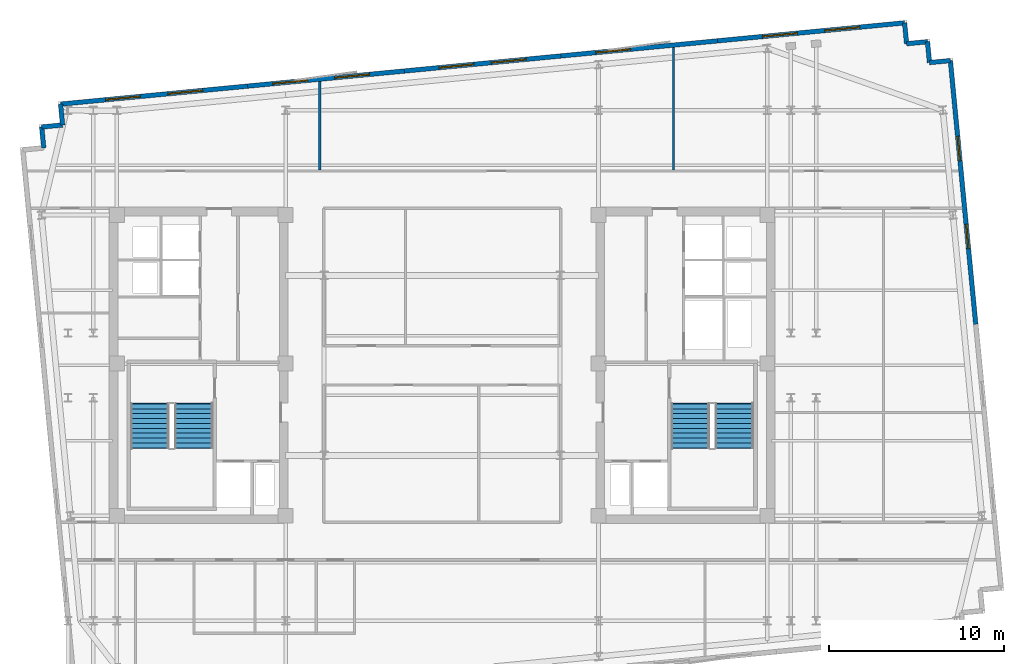
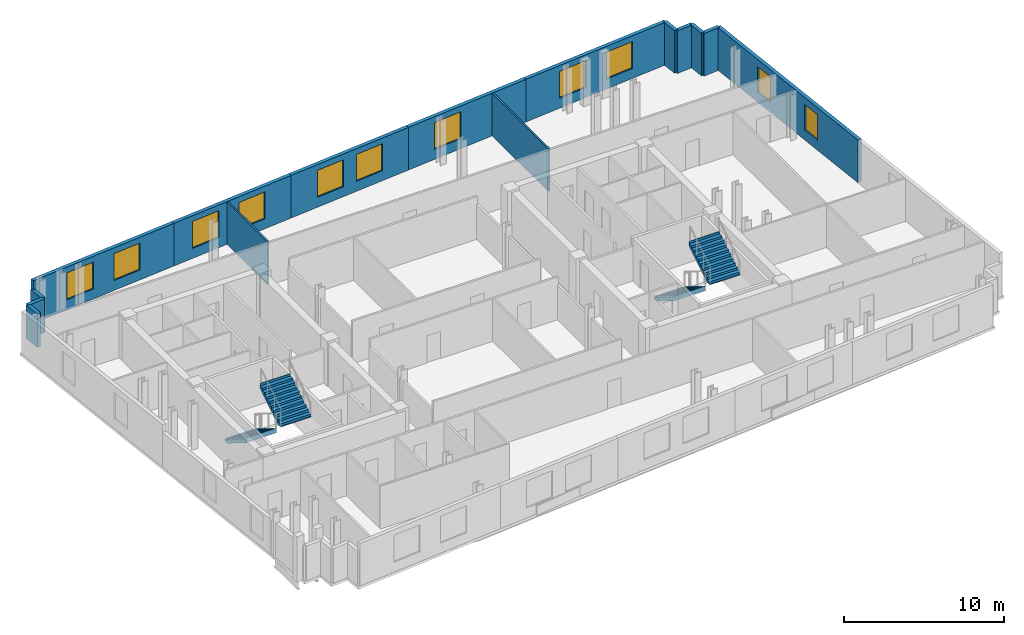
# One storey, part 6 of 8: 15 walls, 11 windows, 4 stair flights, 11 openings, 2 elements without a shape of their own.
"""IFC4 building model written with IfcOpenShell, lengths in metres."""

from ifc_helpers import new_model, si_unit, direction, frame, frame_2d, origin, place, context, subcontext, project, spatial, polyline, rectangle, outline, extrude, material, layer, layer_set, type_object, element, fill, aggregate, save


model = new_model("IFC4")

# Units and contexts
model_context = context("Model", 3, precision=1e-05, world=origin(), true_north=direction((0.0, 1.0)))
body_context = subcontext(model_context, "Body", "Model", "MODEL_VIEW")
ifc_project = project(units=[si_unit("LENGTHUNIT", "METRE"), si_unit("AREAUNIT", "SQUARE_METRE"), si_unit("VOLUMEUNIT", "CUBIC_METRE"), si_unit("PLANEANGLEUNIT", "RADIAN"), si_unit("MASSUNIT", "GRAM", prefix="KILO")], contexts=[model_context])

# Site, building, storey
site_placement = place(None, origin())
site = spatial("IfcSite", under=ifc_project, at=site_placement, CompositionType="ELEMENT")
building_placement = place(site_placement, origin())
building = spatial("IfcBuilding", under=site, at=building_placement, Name="Velakula Bourse", CompositionType="ELEMENT")
storey_placement = place(building_placement, frame((0.0, 0.0, 258.60009765625)))
storey = spatial("IfcBuildingStorey", under=building, at=storey_placement, Name="L70", CompositionType="ELEMENT", Elevation=258.60009765625)

# Wall, openings, windows
ifc_material_1 = material(Name="Buff kilned clay facing brick masonry", Category="masonry")
ifc_layer_1 = layer(ifc_material_1, 0.260009765625, Name="Buff kilned clay facing brick masonry", Category="masonry")
ifc_layer_set_1 = layer_set([ifc_layer_1], Name="Buff kilned clay facing brick masonry")
wall_type_1 = type_object("IfcWallType", Name="WL-EXT-BRK-260", PredefinedType="STANDARD", material=ifc_layer_set_1)
wall_1_placement = place(storey_placement, frame((-21.820556640625, 14.94482421875, 0.0), z_axis=(0.0, 0.0, 1.0), x_axis=(0.995394787719, 0.095860401528, 0.0)))
wall_1 = element("IfcWall", 1, at=wall_1_placement, inside=storey, type_object=wall_type_1, Name="L70 N Brick Spandrel Wall B1", PredefinedType="STANDARD", context=body_context, shape_type="SweptSolid", body=[
    extrude(rectangle(XDim=10.750244140625, YDim=0.260009765625, at=frame_2d((5.375, 0.0))), origin(), (0.0, 0.0, 1.0), 3.25),
])
opening_1_placement = place(wall_1_placement, frame((2.583251953125, 0.0, 0.760009765625)))
opening_1 = element("IfcOpeningElement", 2, at=opening_1_placement, cuts=wall_1, Name="Opening W-05", PredefinedType="OPENING", context=body_context, shape_type="SweptSolid", body=[
    extrude(rectangle(XDim=2.0, YDim=2.050048828125, at=frame_2d((1.0, 1.02490234375))), frame((0.0, 0.139892578125, 0.0), z_axis=(0.0, -1.0, 0.0), x_axis=(1.0, 0.0, 0.0)), (0.0, 0.0, 1.0), 0.280029296875),
])
opening_2_placement = place(wall_1_placement, frame((6.166748046875, 0.0, 0.760009765625)))
opening_2 = element("IfcOpeningElement", 3, at=opening_2_placement, cuts=wall_1, Name="Opening W-05", PredefinedType="OPENING", context=body_context, shape_type="SweptSolid", body=[
    extrude(rectangle(XDim=2.0, YDim=2.050048828125, at=frame_2d((1.0, 1.02490234375))), frame((0.0, 0.139892578125, 0.0), z_axis=(0.0, -1.0, 0.0), x_axis=(1.0, 0.0, 0.0)), (0.0, 0.0, 1.0), 0.280029296875),
])
ifc_material_2 = material(Name="Double-glazed solar-control Low-E glass", Category="glass")
window_type_1 = type_object("IfcWindowType", Name="WIN-TWR-2000x2200", PartitioningType="DOUBLE_PANEL_VERTICAL", PredefinedType="WINDOW", material=ifc_material_2)
window_1_placement = place(opening_1_placement, origin())
window_1 = element("IfcWindow", 4, at=window_1_placement, inside=storey, type_object=window_type_1, Name="L70 Deep-Set Recessed Window 1", OverallHeight=2.050048828125, OverallWidth=2.0, PartitioningType="DOUBLE_PANEL_VERTICAL", PredefinedType="WINDOW", context=body_context, shape_type="SweptSolid", body=[
    extrude(rectangle(XDim=2.0, YDim=2.050048828125, at=frame_2d((1.0, 1.02490234375))), frame((0.0, 0.030029296875, 0.0), z_axis=(0.0, -1.0, 0.0), x_axis=(1.0, 0.0, 0.0)), (0.0, 0.0, 1.0), 0.06005859375),
])
fill(opening_1, window_1)
window_2_placement = place(opening_2_placement, origin())
window_2 = element("IfcWindow", 5, at=window_2_placement, inside=storey, type_object=window_type_1, Name="L70 Deep-Set Recessed Window 2", OverallHeight=2.050048828125, OverallWidth=2.0, PartitioningType="DOUBLE_PANEL_VERTICAL", PredefinedType="WINDOW", context=body_context, shape_type="SweptSolid", body=[
    extrude(rectangle(XDim=2.0, YDim=2.050048828125, at=frame_2d((1.0, 1.02490234375))), frame((0.0, 0.030029296875, 0.0), z_axis=(0.0, -1.0, 0.0), x_axis=(1.0, 0.0, 0.0)), (0.0, 0.0, 1.0), 0.06005859375),
])
fill(opening_2, window_2)

wall_2_placement = place(storey_placement, frame((-11.119873046875, 15.975341796875, 0.0), z_axis=(0.0, 0.0, 1.0), x_axis=(0.995396794462, 0.09583956164, 0.0)))
wall_2 = element("IfcWall", 6, at=wall_2_placement, inside=storey, type_object=wall_type_1, Name="L70 N Brick Spandrel Wall B2", PredefinedType="STANDARD", context=body_context, shape_type="SweptSolid", body=[
    extrude(rectangle(XDim=9.0, YDim=0.260009765625, at=frame_2d((4.5, 0.0))), origin(), (0.0, 0.0, 1.0), 3.25),
])
opening_3_placement = place(wall_2_placement, frame((1.449951171875, 0.0, 0.760009765625)))
opening_3 = element("IfcOpeningElement", 7, at=opening_3_placement, cuts=wall_2, Name="Opening W-05", PredefinedType="OPENING", context=body_context, shape_type="SweptSolid", body=[
    extrude(rectangle(XDim=2.0, YDim=2.050048828125, at=frame_2d((1.0, 1.02490234375))), frame((0.0, 0.139892578125, 0.0), z_axis=(0.0, -1.0, 0.0), x_axis=(1.0, 0.0, 0.0)), (0.0, 0.0, 1.0), 0.280029296875),
])
opening_4_placement = place(wall_2_placement, frame((5.0, 0.0, 0.760009765625)))
opening_4 = element("IfcOpeningElement", 8, at=opening_4_placement, cuts=wall_2, Name="Opening W-05", PredefinedType="OPENING", context=body_context, shape_type="SweptSolid", body=[
    extrude(rectangle(XDim=2.0, YDim=2.050048828125, at=frame_2d((1.0, 1.02490234375))), frame((0.0, 0.139892578125, 0.0), z_axis=(0.0, -1.0, 0.0), x_axis=(1.0, 0.0, 0.0)), (0.0, 0.0, 1.0), 0.280029296875),
])
window_3_placement = place(opening_3_placement, origin())
window_3 = element("IfcWindow", 9, at=window_3_placement, inside=storey, type_object=window_type_1, Name="L70 Deep-Set Recessed Window 1", OverallHeight=2.050048828125, OverallWidth=2.0, PartitioningType="DOUBLE_PANEL_VERTICAL", PredefinedType="WINDOW", context=body_context, shape_type="SweptSolid", body=[
    extrude(rectangle(XDim=2.0, YDim=2.050048828125, at=frame_2d((1.0, 1.02490234375))), frame((0.0, 0.030029296875, 0.0), z_axis=(0.0, -1.0, 0.0), x_axis=(1.0, 0.0, 0.0)), (0.0, 0.0, 1.0), 0.06005859375),
])
fill(opening_3, window_3)
window_4_placement = place(opening_4_placement, origin())
window_4 = element("IfcWindow", 10, at=window_4_placement, inside=storey, type_object=window_type_1, Name="L70 Deep-Set Recessed Window 2", OverallHeight=2.050048828125, OverallWidth=2.0, PartitioningType="DOUBLE_PANEL_VERTICAL", PredefinedType="WINDOW", context=body_context, shape_type="SweptSolid", body=[
    extrude(rectangle(XDim=2.0, YDim=2.050048828125, at=frame_2d((1.0, 1.02490234375))), frame((0.0, 0.030029296875, 0.0), z_axis=(0.0, -1.0, 0.0), x_axis=(1.0, 0.0, 0.0)), (0.0, 0.0, 1.0), 0.06005859375),
])
fill(opening_4, window_4)

wall_3_placement = place(storey_placement, frame((-2.161376953125, 16.837890625, 0.0), z_axis=(0.0, 0.0, 1.0), x_axis=(0.995396794462, 0.09583956164, 0.0)))
wall_3 = element("IfcWall", 11, at=wall_3_placement, inside=storey, type_object=wall_type_1, Name="L70 N Brick Spandrel Wall B3", PredefinedType="STANDARD", context=body_context, shape_type="SweptSolid", body=[
    extrude(rectangle(XDim=9.0, YDim=0.260009765625, at=frame_2d((4.5, 0.0))), origin(), (0.0, 0.0, 1.0), 3.25),
])
opening_5_placement = place(wall_3_placement, frame((2.0, 0.0, 0.760009765625)))
opening_5 = element("IfcOpeningElement", 12, at=opening_5_placement, cuts=wall_3, Name="Opening W-05", PredefinedType="OPENING", context=body_context, shape_type="SweptSolid", body=[
    extrude(rectangle(XDim=2.0, YDim=2.050048828125, at=frame_2d((1.0, 1.02490234375))), frame((0.0, 0.139892578125, 0.0), z_axis=(0.0, -1.0, 0.0), x_axis=(1.0, 0.0, 0.0)), (0.0, 0.0, 1.0), 0.280029296875),
])
opening_6_placement = place(wall_3_placement, frame((5.0, 0.0, 0.760009765625)))
opening_6 = element("IfcOpeningElement", 13, at=opening_6_placement, cuts=wall_3, Name="Opening W-05", PredefinedType="OPENING", context=body_context, shape_type="SweptSolid", body=[
    extrude(rectangle(XDim=2.0, YDim=2.050048828125, at=frame_2d((1.0, 1.02490234375))), frame((0.0, 0.139892578125, 0.0), z_axis=(0.0, -1.0, 0.0), x_axis=(1.0, 0.0, 0.0)), (0.0, 0.0, 1.0), 0.280029296875),
])
window_5_placement = place(opening_5_placement, origin())
window_5 = element("IfcWindow", 14, at=window_5_placement, inside=storey, type_object=window_type_1, Name="L70 Deep-Set Recessed Window 1", OverallHeight=2.050048828125, OverallWidth=2.0, PartitioningType="DOUBLE_PANEL_VERTICAL", PredefinedType="WINDOW", context=body_context, shape_type="SweptSolid", body=[
    extrude(rectangle(XDim=2.0, YDim=2.050048828125, at=frame_2d((1.0, 1.02490234375))), frame((0.0, 0.030029296875, 0.0), z_axis=(0.0, -1.0, 0.0), x_axis=(1.0, 0.0, 0.0)), (0.0, 0.0, 1.0), 0.06005859375),
])
fill(opening_5, window_5)
window_6_placement = place(opening_6_placement, origin())
window_6 = element("IfcWindow", 15, at=window_6_placement, inside=storey, type_object=window_type_1, Name="L70 Deep-Set Recessed Window 2", OverallHeight=2.050048828125, OverallWidth=2.0, PartitioningType="DOUBLE_PANEL_VERTICAL", PredefinedType="WINDOW", context=body_context, shape_type="SweptSolid", body=[
    extrude(rectangle(XDim=2.0, YDim=2.050048828125, at=frame_2d((1.0, 1.02490234375))), frame((0.0, 0.030029296875, 0.0), z_axis=(0.0, -1.0, 0.0), x_axis=(1.0, 0.0, 0.0)), (0.0, 0.0, 1.0), 0.06005859375),
])
fill(opening_6, window_6)

# Wall, opening, window
wall_4_placement = place(storey_placement, frame((6.797119140625, 17.700439453125, 0.0), z_axis=(0.0, 0.0, 1.0), x_axis=(0.995394455533, 0.09586385082, 0.0)))
wall_4 = element("IfcWall", 16, at=wall_4_placement, inside=storey, type_object=wall_type_1, Name="L70 N Brick Spandrel Wall B4", PredefinedType="STANDARD", context=body_context, shape_type="SweptSolid", body=[
    extrude(rectangle(XDim=9.000244140625, YDim=0.260009765625, at=frame_2d((4.5, 0.0))), origin(), (0.0, 0.0, 1.0), 3.25),
])
opening_7_placement = place(wall_4_placement, frame((2.0, 0.0, 0.760009765625)))
opening_7 = element("IfcOpeningElement", 17, at=opening_7_placement, cuts=wall_4, Name="Opening W-05", PredefinedType="OPENING", context=body_context, shape_type="SweptSolid", body=[
    extrude(rectangle(XDim=2.0, YDim=2.050048828125, at=frame_2d((1.0, 1.02490234375))), frame((0.0, 0.139892578125, 0.0), z_axis=(0.0, -1.0, 0.0), x_axis=(1.0, 0.0, 0.0)), (0.0, 0.0, 1.0), 0.280029296875),
])
window_7_placement = place(opening_7_placement, origin())
window_7 = element("IfcWindow", 18, at=window_7_placement, inside=storey, type_object=window_type_1, Name="L70 Deep-Set Recessed Window 1", OverallHeight=2.050048828125, OverallWidth=2.0, PartitioningType="DOUBLE_PANEL_VERTICAL", PredefinedType="WINDOW", context=body_context, shape_type="SweptSolid", body=[
    extrude(rectangle(XDim=2.0, YDim=2.050048828125, at=frame_2d((1.0, 1.02490234375))), frame((0.0, 0.030029296875, 0.0), z_axis=(0.0, -1.0, 0.0), x_axis=(1.0, 0.0, 0.0)), (0.0, 0.0, 1.0), 0.06005859375),
])
fill(opening_7, window_7)

# Wall, openings, windows
wall_5_placement = place(storey_placement, frame((15.755859375, 18.563232421875, 0.0), z_axis=(0.0, 0.0, 1.0), x_axis=(0.995396745868, 0.095840066339, 0.0)))
wall_5 = element("IfcWall", 19, at=wall_5_placement, inside=storey, type_object=wall_type_1, Name="L70 N Brick Spandrel Wall B5", PredefinedType="STANDARD", context=body_context, shape_type="SweptSolid", body=[
    extrude(rectangle(XDim=10.75, YDim=0.260009765625, at=frame_2d((5.375, 0.0))), origin(), (0.0, 0.0, 1.0), 3.25),
])
opening_8_placement = place(wall_5_placement, frame((2.583251953125, 0.0, 0.760009765625)))
opening_8 = element("IfcOpeningElement", 20, at=opening_8_placement, cuts=wall_5, Name="Opening W-05", PredefinedType="OPENING", context=body_context, shape_type="SweptSolid", body=[
    extrude(rectangle(XDim=2.0, YDim=2.050048828125, at=frame_2d((1.0, 1.02490234375))), frame((0.0, 0.139892578125, 0.0), z_axis=(0.0, -1.0, 0.0), x_axis=(1.0, 0.0, 0.0)), (0.0, 0.0, 1.0), 0.280029296875),
])
opening_9_placement = place(wall_5_placement, frame((6.166748046875, 0.0, 0.760009765625)))
opening_9 = element("IfcOpeningElement", 21, at=opening_9_placement, cuts=wall_5, Name="Opening W-05", PredefinedType="OPENING", context=body_context, shape_type="SweptSolid", body=[
    extrude(rectangle(XDim=2.0, YDim=2.050048828125, at=frame_2d((1.0, 1.02490234375))), frame((0.0, 0.139892578125, 0.0), z_axis=(0.0, -1.0, 0.0), x_axis=(1.0, 0.0, 0.0)), (0.0, 0.0, 1.0), 0.280029296875),
])
window_8_placement = place(opening_8_placement, origin())
window_8 = element("IfcWindow", 22, at=window_8_placement, inside=storey, type_object=window_type_1, Name="L70 Deep-Set Recessed Window 1", OverallHeight=2.050048828125, OverallWidth=2.0, PartitioningType="DOUBLE_PANEL_VERTICAL", PredefinedType="WINDOW", context=body_context, shape_type="SweptSolid", body=[
    extrude(rectangle(XDim=2.0, YDim=2.050048828125, at=frame_2d((1.0, 1.02490234375))), frame((0.0, 0.030029296875, 0.0), z_axis=(0.0, -1.0, 0.0), x_axis=(1.0, 0.0, 0.0)), (0.0, 0.0, 1.0), 0.06005859375),
])
fill(opening_8, window_8)
window_9_placement = place(opening_9_placement, origin())
window_9 = element("IfcWindow", 23, at=window_9_placement, inside=storey, type_object=window_type_1, Name="L70 Deep-Set Recessed Window 2", OverallHeight=2.050048828125, OverallWidth=2.0, PartitioningType="DOUBLE_PANEL_VERTICAL", PredefinedType="WINDOW", context=body_context, shape_type="SweptSolid", body=[
    extrude(rectangle(XDim=2.0, YDim=2.050048828125, at=frame_2d((1.0, 1.02490234375))), frame((0.0, 0.030029296875, 0.0), z_axis=(0.0, -1.0, 0.0), x_axis=(1.0, 0.0, 0.0)), (0.0, 0.0, 1.0), 0.06005859375),
])
fill(opening_9, window_9)

wall_6_placement = place(storey_placement, frame((29.0751953125, 17.4345703125, 0.0), z_axis=(0.0, 0.0, 1.0), x_axis=(0.095850890337, -0.995395703638, 0.0)))
wall_6 = element("IfcWall", 24, at=wall_6_placement, inside=storey, type_object=wall_type_1, Name="L70 E Brick End Wall W2", PredefinedType="STANDARD", context=body_context, shape_type="SweptSolid", body=[
    extrude(rectangle(XDim=15.150146484375, YDim=0.260009765625, at=frame_2d((7.5751953125, 0.0))), origin(), (0.0, 0.0, 1.0), 3.25),
])
opening_10_placement = place(wall_6_placement, frame((4.35009765625, 0.0, 0.760009765625)))
opening_10 = element("IfcOpeningElement", 25, at=opening_10_placement, cuts=wall_6, Name="Opening W-03", PredefinedType="OPENING", context=body_context, shape_type="SweptSolid", body=[
    extrude(rectangle(XDim=1.39990234375, YDim=1.949951171875, at=frame_2d((0.699951171875, 0.97509765625))), frame((0.0, 0.139892578125, 0.0), z_axis=(0.0, -1.0, 0.0), x_axis=(1.0, 0.0, 0.0)), (0.0, 0.0, 1.0), 0.280029296875),
])
opening_11_placement = place(wall_6_placement, frame((9.39990234375, 0.0, 0.760009765625)))
opening_11 = element("IfcOpeningElement", 26, at=opening_11_placement, cuts=wall_6, Name="Opening W-03", PredefinedType="OPENING", context=body_context, shape_type="SweptSolid", body=[
    extrude(rectangle(XDim=1.39990234375, YDim=1.949951171875, at=frame_2d((0.699951171875, 0.97509765625))), frame((0.0, 0.139892578125, 0.0), z_axis=(0.0, -1.0, 0.0), x_axis=(1.0, 0.0, 0.0)), (0.0, 0.0, 1.0), 0.280029296875),
])
window_type_2 = type_object("IfcWindowType", Name="WIN-TWR-1400x2100", PartitioningType="SINGLE_PANEL", PredefinedType="WINDOW", material=ifc_material_2)
window_10_placement = place(opening_10_placement, origin())
window_10 = element("IfcWindow", 27, at=window_10_placement, inside=storey, type_object=window_type_2, Name="L70 Deep-Set Recessed Window 1", OverallHeight=1.949951171875, OverallWidth=1.39990234375, PartitioningType="SINGLE_PANEL", PredefinedType="WINDOW", context=body_context, shape_type="SweptSolid", body=[
    extrude(rectangle(XDim=1.39990234375, YDim=1.949951171875, at=frame_2d((0.699951171875, 0.97509765625))), frame((0.0, 0.030029296875, 0.0), z_axis=(0.0, -1.0, 0.0), x_axis=(1.0, 0.0, 0.0)), (0.0, 0.0, 1.0), 0.06005859375),
])
fill(opening_10, window_10)
window_11_placement = place(opening_11_placement, origin())
window_11 = element("IfcWindow", 28, at=window_11_placement, inside=storey, type_object=window_type_2, Name="L70 Deep-Set Recessed Window 2", OverallHeight=1.949951171875, OverallWidth=1.39990234375, PartitioningType="SINGLE_PANEL", PredefinedType="WINDOW", context=body_context, shape_type="SweptSolid", body=[
    extrude(rectangle(XDim=1.39990234375, YDim=1.949951171875, at=frame_2d((0.699951171875, 0.97509765625))), frame((0.0, 0.030029296875, 0.0), z_axis=(0.0, -1.0, 0.0), x_axis=(1.0, 0.0, 0.0)), (0.0, 0.0, 1.0), 0.06005859375),
])
fill(opening_11, window_11)

# Walls
for number, where, z_axis, x_axis, name in (
    (29, (29.0751953125, 17.4345703125, 0.0), (0.0, 0.0, 1.0), (-0.995397091755, -0.095836473879, 0.0), "L70 Serrated Corner Brick Wall NE-1"),
    (30, (27.880859375, 17.319580078125, 0.0), (0.0, 0.0, 1.0), (-0.095836473879, 0.995397091755, 0.0), "L70 Serrated Corner Brick Wall NE-2"),
):
    element("IfcWall", number, at=place(storey_placement, frame(where, z_axis=z_axis, x_axis=x_axis)), inside=storey, type_object=wall_type_1, Name=name, PredefinedType="STANDARD", context=body_context, shape_type="SweptSolid", body=[
        extrude(rectangle(XDim=1.199951171875, YDim=0.260009765625, at=frame_2d((0.60009765625, 0.0))), origin(), (0.0, 0.0, 1.0), 3.25),
    ])
for number, where, z_axis, x_axis, name in (
    (31, (27.765869140625, 18.513916015625, 0.0), (0.0, 0.0, 1.0), (-0.995398960025, -0.095817067274, 0.0), "L70 Serrated Corner Brick Wall NE-3"),
    (32, (26.5712890625, 18.39892578125, 0.0), (0.0, 0.0, 1.0), (-0.095817067274, 0.995398960025, 0.0), "L70 Serrated Corner Brick Wall NE-4"),
):
    element("IfcWall", number, at=place(storey_placement, frame(where, z_axis=z_axis, x_axis=x_axis)), inside=storey, type_object=wall_type_1, Name=name, PredefinedType="STANDARD", context=body_context, shape_type="SweptSolid", body=[
        extrude(rectangle(XDim=1.2001953125, YDim=0.260009765625, at=frame_2d((0.60009765625, 0.0))), origin(), (0.0, 0.0, 1.0), 3.25),
    ])
wall_7_placement = place(storey_placement, frame((-21.820556640625, 14.94482421875, 0.0), z_axis=(0.0, 0.0, 1.0), x_axis=(0.096038073607, -0.995377661201, 0.0)))
element("IfcWall", 33, at=wall_7_placement, inside=storey, type_object=wall_type_1, Name="L70 Serrated Corner Brick Wall NW-1", PredefinedType="STANDARD", context=body_context, shape_type="SweptSolid", body=[
    extrude(rectangle(XDim=1.199951171875, YDim=0.260009765625, at=frame_2d((0.60009765625, 0.0))), origin(), (0.0, 0.0, 1.0), 2.56494140625),
])
for number, where, z_axis, x_axis, name in (
    (34, (-21.705322265625, 13.75048828125, 0.0), (0.0, 0.0, 1.0), (-0.995398960025, -0.095817067274, 0.0), "L70 Serrated Corner Brick Wall NW-2"),
    (35, (-22.89990234375, 13.635498046875, 0.0), (0.0, 0.0, 1.0), (0.095817067274, -0.995398960025, 0.0), "L70 Serrated Corner Brick Wall NW-3"),
):
    element("IfcWall", number, at=place(storey_placement, frame(where, z_axis=z_axis, x_axis=x_axis)), inside=storey, type_object=wall_type_1, Name=name, PredefinedType="STANDARD", context=body_context, shape_type="SweptSolid", body=[
        extrude(rectangle(XDim=1.2001953125, YDim=0.260009765625, at=frame_2d((0.60009765625, 0.0))), origin(), (0.0, 0.0, 1.0), 2.56494140625),
    ])
ifc_material_3 = material(Name="Fire-rated double-layer gypsum drywall partition", Category="gypsum")
ifc_layer_2 = layer(ifc_material_3, 0.1201171875, Name="Fire-rated double-layer gypsum drywall partition", Category="gypsum")
ifc_layer_set_2 = layer_set([ifc_layer_2], Name="Fire-rated double-layer gypsum drywall partition")
wall_type_2 = type_object("IfcWallType", Name="WL-PART-120", PredefinedType="STANDARD", material=ifc_layer_set_2)
wall_8_placement = place(storey_placement, frame((-6.99609375, 11.18994140625, 0.0), z_axis=(0.0, 0.0, 1.0), x_axis=(0.0, 1.0, 0.0)))
element("IfcWall", 36, at=wall_8_placement, inside=storey, type_object=wall_type_2, Name="L70 Interior Partition WL-INT-L70-N-D1", PredefinedType="STANDARD", context=body_context, shape_type="SweptSolid", body=[
    extrude(rectangle(XDim=5.0517578125, YDim=0.1201171875, at=frame_2d((2.52587890625, 0.0))), origin(), (0.0, 0.0, 1.0), 3.25),
])
wall_9_placement = place(storey_placement, frame((13.241943359375, 11.18994140625, 0.0), z_axis=(0.0, 0.0, 1.0), x_axis=(0.0, 1.0, 0.0)))
element("IfcWall", 37, at=wall_9_placement, inside=storey, type_object=wall_type_2, Name="L70 Interior Partition WL-INT-L70-N-D2", PredefinedType="STANDARD", context=body_context, shape_type="SweptSolid", body=[
    extrude(rectangle(XDim=7.00048828125, YDim=0.1201171875, at=frame_2d((3.500244140625, 0.0))), origin(), (0.0, 0.0, 1.0), 3.25),
])

# Stair, stair flights
ifc_material_4 = material(Name="Concrete M45 (fck 45 MPa)", Category="concrete")
stair_type = type_object("IfcStairType", Name="STR-DOG-390", PredefinedType="HALF_TURN_STAIR", material=ifc_material_4)
stair_1_placement = place(storey_placement, origin())
stair_1 = element("IfcStair", 38, at=stair_1_placement, inside=storey, type_object=stair_type, Name="L70 West Core Exit Stair ST-W1", PredefinedType="HALF_TURN_STAIR")
ifc_layer_3 = layer(ifc_material_4, 0.195068359375, Name="Concrete M45 (fck 45 MPa)", Category="concrete")
ifc_layer_set_3 = layer_set([ifc_layer_3], Name="Concrete M45 (fck 45 MPa)")
stair_flight_type = type_object("IfcStairFlightType", Name="FLT-DOG-390", PredefinedType="STRAIGHT", material=ifc_layer_set_3)
stair_flight_1_placement = place(storey_placement, frame((-16.720947265625, -2.199951171875, 0.0), z_axis=(0.0, 0.0, 1.0), x_axis=(0.0, -1.0, 0.0)))
stair_flight_1 = element("IfcStairFlight", 39, at=stair_flight_1_placement, type_object=stair_flight_type, Name="ST-W1 flight 1", NumberOfRisers=10, NumberOfTreads=9, PredefinedType="STRAIGHT", RiserHeight=0.1725, TreadLength=0.28, context=body_context, shape_type="SweptSolid", body=[
    extrude(outline(polyline([(-0.044921875, -0.0400390625), (-0.044921875, -0.036865234375), (-0.044921875, -0.033935546875), (-0.044921875, -0.03076171875), (-0.044921875, -0.027587890625), (-0.044921875, -0.024658203125), (-0.044921875, -0.021484375), (-0.044921875, -0.0185546875), (-0.044921875, -0.015380859375), (-0.044921875, -0.01220703125), (-0.044921875, -0.00927734375), (-0.044921875, -0.006103515625), (-0.044921875, -0.003173828125), (-0.044921875, 0.0), (0.0, 0.0), (0.0, 0.172607421875), (0.280029296875, 0.172607421875), (0.280029296875, 0.344970703125), (0.56005859375, 0.344970703125), (0.56005859375, 0.517578125), (0.840087890625, 0.517578125), (0.840087890625, 0.68994140625), (1.1201171875, 0.68994140625), (1.1201171875, 0.862548828125), (1.39990234375, 0.862548828125), (1.39990234375, 1.034912109375), (1.679931640625, 1.034912109375), (1.679931640625, 1.20751953125), (1.9599609375, 1.20751953125), (1.9599609375, 1.3798828125), (2.239990234375, 1.3798828125), (2.239990234375, 1.552490234375), (2.52001953125, 1.552490234375), (2.52001953125, 1.72509765625), (2.56494140625, 1.72509765625), (2.56494140625, 1.7001953125), (2.56494140625, 1.67529296875), (2.56494140625, 1.650390625), (2.56494140625, 1.62548828125), (2.56494140625, 1.6005859375), (2.56494140625, 1.57568359375), (2.56494140625, 1.55078125), (2.56494140625, 1.52587890625), (2.56494140625, 1.5009765625), (2.56494140625, 1.47607421875), (2.56494140625, 1.451171875), (2.56494140625, 1.42626953125), (2.56494140625, 1.4013671875), (2.56494140625, 1.37646484375), (0.285888671875, -0.0400390625), (-0.044921875, -0.0400390625)])), frame((0.0, 1.09912109375, 0.0), z_axis=(0.0, -1.0, 0.0), x_axis=(1.0, 0.0, 0.0)), (0.0, 0.0, 1.0), 2.197998046875),
])
stair_flight_2_placement = place(storey_placement, frame((-14.198974609375, -4.719970703125, 1.724853515625), z_axis=(0.0, 0.0, 1.0), x_axis=(0.0, 1.0, 0.0)))
stair_flight_2 = element("IfcStairFlight", 40, at=stair_flight_2_placement, type_object=stair_flight_type, Name="ST-W1 flight 2", NumberOfRisers=10, NumberOfTreads=9, PredefinedType="STRAIGHT", RiserHeight=0.1725, TreadLength=0.28, context=body_context, shape_type="SweptSolid", body=[
    extrude(outline(polyline([(-0.044921875, -0.0400390625), (-0.044921875, -0.036865234375), (-0.044921875, -0.033935546875), (-0.044921875, -0.03076171875), (-0.044921875, -0.027587890625), (-0.044921875, -0.024658203125), (-0.044921875, -0.021484375), (-0.044921875, -0.0185546875), (-0.044921875, -0.015380859375), (-0.044921875, -0.01220703125), (-0.044921875, -0.00927734375), (-0.044921875, -0.006103515625), (-0.044921875, -0.003173828125), (-0.044921875, 0.0), (0.0, 0.0), (0.0, 0.172607421875), (0.280029296875, 0.172607421875), (0.280029296875, 0.344970703125), (0.56005859375, 0.344970703125), (0.56005859375, 0.517578125), (0.840087890625, 0.517578125), (0.840087890625, 0.68994140625), (1.1201171875, 0.68994140625), (1.1201171875, 0.862548828125), (1.39990234375, 0.862548828125), (1.39990234375, 1.034912109375), (1.679931640625, 1.034912109375), (1.679931640625, 1.20751953125), (1.9599609375, 1.20751953125), (1.9599609375, 1.3798828125), (2.239990234375, 1.3798828125), (2.239990234375, 1.552490234375), (2.52001953125, 1.552490234375), (2.52001953125, 1.72509765625), (2.56494140625, 1.72509765625), (2.56494140625, 1.7001953125), (2.56494140625, 1.67529296875), (2.56494140625, 1.650390625), (2.56494140625, 1.62548828125), (2.56494140625, 1.6005859375), (2.56494140625, 1.57568359375), (2.56494140625, 1.55078125), (2.56494140625, 1.52587890625), (2.56494140625, 1.5009765625), (2.56494140625, 1.47607421875), (2.56494140625, 1.451171875), (2.56494140625, 1.42626953125), (2.56494140625, 1.4013671875), (2.56494140625, 1.37646484375), (0.285888671875, -0.0400390625), (-0.044921875, -0.0400390625)])), frame((0.0, 1.09912109375, 0.0), z_axis=(0.0, -1.0, 0.0), x_axis=(1.0, 0.0, 0.0)), (0.0, 0.0, 1.0), 2.197998046875),
])
aggregate(stair_1, [stair_flight_1, stair_flight_2])

stair_2_placement = place(storey_placement, origin())
stair_2 = element("IfcStair", 41, at=stair_2_placement, inside=storey, type_object=stair_type, Name="L70 East Core Exit Stair ST-E1", PredefinedType="HALF_TURN_STAIR")
stair_flight_3_placement = place(storey_placement, frame((14.198974609375, -2.199951171875, 0.0), z_axis=(0.0, 0.0, 1.0), x_axis=(0.0, -1.0, 0.0)))
stair_flight_3 = element("IfcStairFlight", 42, at=stair_flight_3_placement, type_object=stair_flight_type, Name="ST-E1 flight 1", NumberOfRisers=10, NumberOfTreads=9, PredefinedType="STRAIGHT", RiserHeight=0.1725, TreadLength=0.28, context=body_context, shape_type="SweptSolid", body=[
    extrude(outline(polyline([(-0.044921875, -0.0400390625), (-0.044921875, -0.036865234375), (-0.044921875, -0.033935546875), (-0.044921875, -0.03076171875), (-0.044921875, -0.027587890625), (-0.044921875, -0.024658203125), (-0.044921875, -0.021484375), (-0.044921875, -0.0185546875), (-0.044921875, -0.015380859375), (-0.044921875, -0.01220703125), (-0.044921875, -0.00927734375), (-0.044921875, -0.006103515625), (-0.044921875, -0.003173828125), (-0.044921875, 0.0), (0.0, 0.0), (0.0, 0.172607421875), (0.280029296875, 0.172607421875), (0.280029296875, 0.344970703125), (0.56005859375, 0.344970703125), (0.56005859375, 0.517578125), (0.840087890625, 0.517578125), (0.840087890625, 0.68994140625), (1.1201171875, 0.68994140625), (1.1201171875, 0.862548828125), (1.39990234375, 0.862548828125), (1.39990234375, 1.034912109375), (1.679931640625, 1.034912109375), (1.679931640625, 1.20751953125), (1.9599609375, 1.20751953125), (1.9599609375, 1.3798828125), (2.239990234375, 1.3798828125), (2.239990234375, 1.552490234375), (2.52001953125, 1.552490234375), (2.52001953125, 1.72509765625), (2.56494140625, 1.72509765625), (2.56494140625, 1.7001953125), (2.56494140625, 1.67529296875), (2.56494140625, 1.650390625), (2.56494140625, 1.62548828125), (2.56494140625, 1.6005859375), (2.56494140625, 1.57568359375), (2.56494140625, 1.55078125), (2.56494140625, 1.52587890625), (2.56494140625, 1.5009765625), (2.56494140625, 1.47607421875), (2.56494140625, 1.451171875), (2.56494140625, 1.42626953125), (2.56494140625, 1.4013671875), (2.56494140625, 1.37646484375), (0.285888671875, -0.0400390625), (-0.044921875, -0.0400390625)])), frame((0.0, 1.09912109375, 0.0), z_axis=(0.0, -1.0, 0.0), x_axis=(1.0, 0.0, 0.0)), (0.0, 0.0, 1.0), 2.197998046875),
])
stair_flight_4_placement = place(storey_placement, frame((16.720947265625, -4.719970703125, 1.724853515625), z_axis=(0.0, 0.0, 1.0), x_axis=(0.0, 1.0, 0.0)))
stair_flight_4 = element("IfcStairFlight", 43, at=stair_flight_4_placement, type_object=stair_flight_type, Name="ST-E1 flight 2", NumberOfRisers=10, NumberOfTreads=9, PredefinedType="STRAIGHT", RiserHeight=0.1725, TreadLength=0.28, context=body_context, shape_type="SweptSolid", body=[
    extrude(outline(polyline([(-0.044921875, -0.0400390625), (-0.044921875, -0.036865234375), (-0.044921875, -0.033935546875), (-0.044921875, -0.03076171875), (-0.044921875, -0.027587890625), (-0.044921875, -0.024658203125), (-0.044921875, -0.021484375), (-0.044921875, -0.0185546875), (-0.044921875, -0.015380859375), (-0.044921875, -0.01220703125), (-0.044921875, -0.00927734375), (-0.044921875, -0.006103515625), (-0.044921875, -0.003173828125), (-0.044921875, 0.0), (0.0, 0.0), (0.0, 0.172607421875), (0.280029296875, 0.172607421875), (0.280029296875, 0.344970703125), (0.56005859375, 0.344970703125), (0.56005859375, 0.517578125), (0.840087890625, 0.517578125), (0.840087890625, 0.68994140625), (1.1201171875, 0.68994140625), (1.1201171875, 0.862548828125), (1.39990234375, 0.862548828125), (1.39990234375, 1.034912109375), (1.679931640625, 1.034912109375), (1.679931640625, 1.20751953125), (1.9599609375, 1.20751953125), (1.9599609375, 1.3798828125), (2.239990234375, 1.3798828125), (2.239990234375, 1.552490234375), (2.52001953125, 1.552490234375), (2.52001953125, 1.72509765625), (2.56494140625, 1.72509765625), (2.56494140625, 1.7001953125), (2.56494140625, 1.67529296875), (2.56494140625, 1.650390625), (2.56494140625, 1.62548828125), (2.56494140625, 1.6005859375), (2.56494140625, 1.57568359375), (2.56494140625, 1.55078125), (2.56494140625, 1.52587890625), (2.56494140625, 1.5009765625), (2.56494140625, 1.47607421875), (2.56494140625, 1.451171875), (2.56494140625, 1.42626953125), (2.56494140625, 1.4013671875), (2.56494140625, 1.37646484375), (0.285888671875, -0.0400390625), (-0.044921875, -0.0400390625)])), frame((0.0, 1.09912109375, 0.0), z_axis=(0.0, -1.0, 0.0), x_axis=(1.0, 0.0, 0.0)), (0.0, 0.0, 1.0), 2.197998046875),
])
aggregate(stair_2, [stair_flight_3, stair_flight_4])

save(model, "model.ifc")
